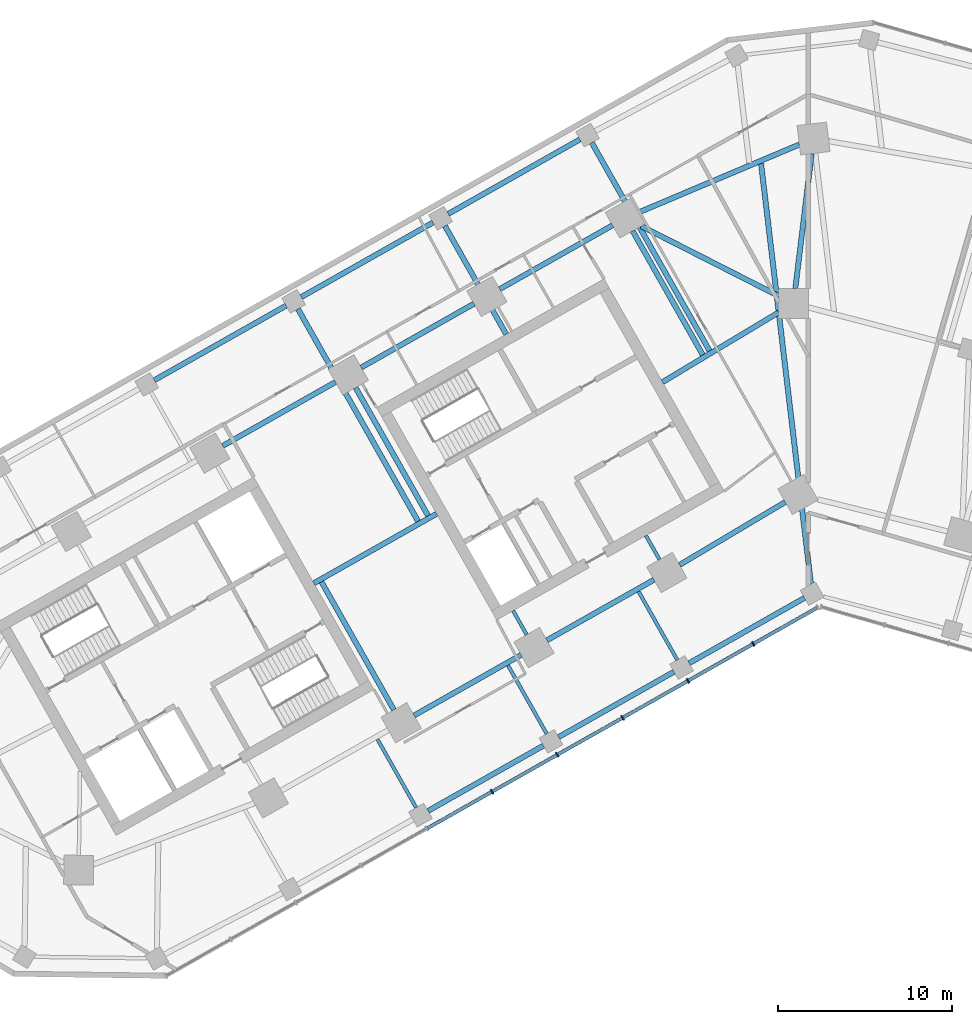
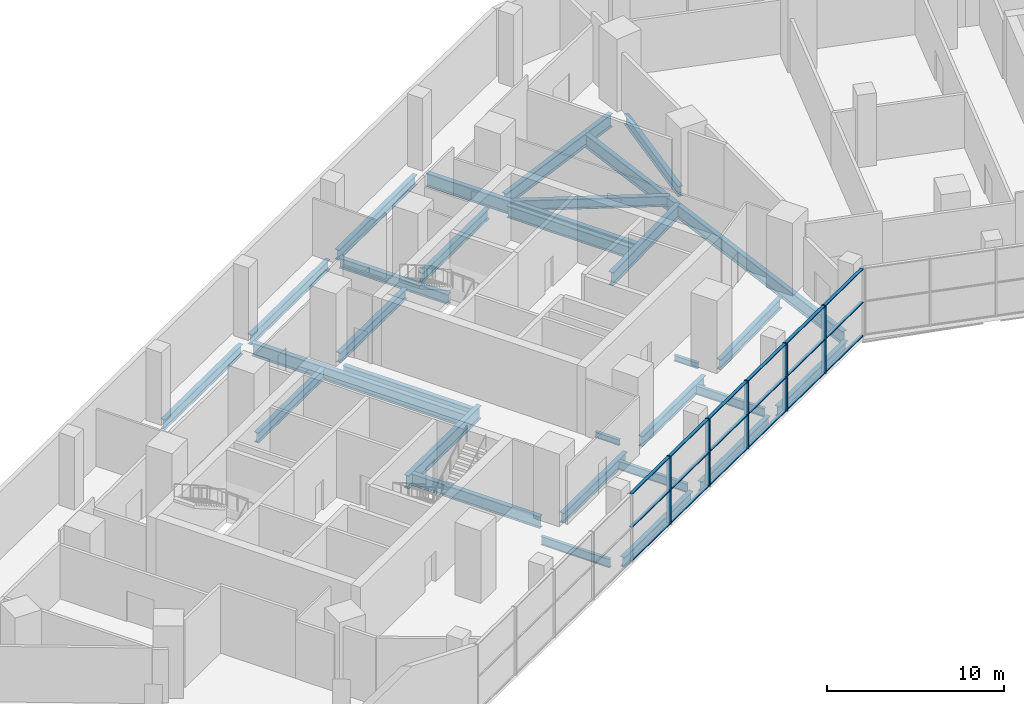
# One storey, part 3 of 18: 29 beams, 23 members, 1 element without a shape of its own.
"""IFC4 building model written with IfcOpenShell, lengths in metres."""

from ifc_helpers import new_model, si_unit, direction, frame, origin, origin_2d, place, context, subcontext, project, spatial, rectangle, i_section, extrude, material, material_profile, profile_set, type_object, element, aggregate, save


model = new_model("IFC4")

# Units and contexts
model_context = context("Model", 3, precision=1e-05, world=origin(), true_north=direction((0.0, 1.0)))
body_context = subcontext(model_context, "Body", "Model", "MODEL_VIEW")
ifc_project = project(units=[si_unit("LENGTHUNIT", "METRE"), si_unit("AREAUNIT", "SQUARE_METRE"), si_unit("VOLUMEUNIT", "CUBIC_METRE"), si_unit("PLANEANGLEUNIT", "RADIAN"), si_unit("MASSUNIT", "GRAM", prefix="KILO")], contexts=[model_context])

# Site, building, storey
site_placement = place(None, origin())
site = spatial("IfcSite", under=ifc_project, at=site_placement, CompositionType="ELEMENT")
building_placement = place(site_placement, origin())
building = spatial("IfcBuilding", under=site, at=building_placement, Name="Binnacle Exchange Tower", CompositionType="ELEMENT")
storey_placement = place(building_placement, frame((0.0, 0.0, 6.5)))
storey = spatial("IfcBuildingStorey", under=building, at=storey_placement, Name="L01", CompositionType="ELEMENT", Elevation=6.5)

# Curtain wall, members
ifc_material_1 = material(Name="Bronze anodised aluminium frame", Category="aluminium")
curtain_wall_type = type_object("IfcCurtainWallType", Name="External wall - curtain wall waterfront lobby", PredefinedType="NOTDEFINED", material=ifc_material_1)
curtain_wall_placement = place(storey_placement, origin())
curtain_wall = element("IfcCurtainWall", 1, at=curtain_wall_placement, inside=storey, type_object=curtain_wall_type, Name="External wall curtain wall CW1-P06 L01", PredefinedType="NOTDEFINED")
ifc_material_profile_1 = material_profile(ifc_material_1, rectangle(XDim=0.300048828125, YDim=0.080078125, at=origin_2d()), Name="AL 80x300")
ifc_profile_set_1 = profile_set([ifc_material_profile_1], Name="Bronze anodised aluminium frame")
member_type_1 = type_object("IfcMemberType", Name="CW1 MULLION 80x300", PredefinedType="MULLION", material=ifc_profile_set_1)
member_1_placement = place(storey_placement, frame((-18.146484375, 31.988525390625, 0.0), z_axis=(0.0, 0.0, 1.0), x_axis=(-0.492423763004, 0.870355581144, 0.0)))
member_1 = element("IfcMember", 2, at=member_1_placement, type_object=member_type_1, Name="CW1-P06 mullion 6", PredefinedType="MULLION", context=body_context, shape_type="SweptSolid", body=[
    extrude(rectangle(XDim=0.300048828125, YDim=0.080078125, at=origin_2d()), origin(), (0.0, 0.0, 1.0), 4.64990234375),
])
member_2_placement = place(storey_placement, frame((-14.39892578125, 34.108642578125, 0.0), z_axis=(0.0, 0.0, 1.0), x_axis=(-0.492423763004, 0.870355581144, 0.0)))
member_2 = element("IfcMember", 3, at=member_2_placement, type_object=member_type_1, Name="CW1-P06 mullion 7", PredefinedType="MULLION", context=body_context, shape_type="SweptSolid", body=[
    extrude(rectangle(XDim=0.300048828125, YDim=0.080078125, at=origin_2d()), origin(), (0.0, 0.0, 1.0), 4.64990234375),
])
member_3_placement = place(storey_placement, frame((-10.651123046875, 36.22900390625, 0.0), z_axis=(0.0, 0.0, 1.0), x_axis=(-0.492423763004, 0.870355581144, 0.0)))
member_3 = element("IfcMember", 4, at=member_3_placement, type_object=member_type_1, Name="CW1-P06 mullion 8", PredefinedType="MULLION", context=body_context, shape_type="SweptSolid", body=[
    extrude(rectangle(XDim=0.300048828125, YDim=0.080078125, at=origin_2d()), origin(), (0.0, 0.0, 1.0), 4.64990234375),
])
member_4_placement = place(storey_placement, frame((-6.903564453125, 38.349365234375, 0.0), z_axis=(0.0, 0.0, 1.0), x_axis=(-0.492423763004, 0.870355581144, 0.0)))
member_4 = element("IfcMember", 5, at=member_4_placement, type_object=member_type_1, Name="CW1-P06 mullion 9", PredefinedType="MULLION", context=body_context, shape_type="SweptSolid", body=[
    extrude(rectangle(XDim=0.300048828125, YDim=0.080078125, at=origin_2d()), origin(), (0.0, 0.0, 1.0), 4.64990234375),
])
member_5_placement = place(storey_placement, frame((-3.156005859375, 40.4697265625, 0.0), z_axis=(0.0, 0.0, 1.0), x_axis=(-0.492423763004, 0.870355581144, 0.0)))
member_5 = element("IfcMember", 6, at=member_5_placement, type_object=member_type_1, Name="CW1-P06 mullion 10", PredefinedType="MULLION", context=body_context, shape_type="SweptSolid", body=[
    extrude(rectangle(XDim=0.300048828125, YDim=0.080078125, at=origin_2d()), origin(), (0.0, 0.0, 1.0), 4.64990234375),
])
ifc_material_profile_2 = material_profile(ifc_material_1, rectangle(XDim=0.199951171875, YDim=0.06005859375, at=origin_2d()), Name="AL 200x60")
ifc_profile_set_2 = profile_set([ifc_material_profile_2], Name="Bronze anodised aluminium frame")
member_type_2 = type_object("IfcMemberType", Name="CW1 TRANSOM 60x200", PredefinedType="USERDEFINED", material=ifc_profile_set_2)
member_6_placement = place(storey_placement, frame((-21.859130859375, 29.887939453125, 0.030029296875), z_axis=(0.870364780678, 0.492407502537, 0.0), x_axis=(-0.492407502537, 0.870364780678, 0.0)))
member_6 = element("IfcMember", 7, at=member_6_placement, type_object=member_type_2, Name="CW1-P06 transom 5.1", ObjectType="TRANSOM", PredefinedType="USERDEFINED", context=body_context, shape_type="SweptSolid", body=[
    extrude(rectangle(XDim=0.199951171875, YDim=0.06005859375, at=origin_2d()), origin(), (0.0, 0.0, 1.0), 4.225830078125),
])
member_7_placement = place(storey_placement, frame((-21.859130859375, 29.887939453125, 2.324951171875), z_axis=(0.870364780678, 0.492407502537, 0.0), x_axis=(-0.492407502537, 0.870364780678, 0.0)))
member_7 = element("IfcMember", 8, at=member_7_placement, type_object=member_type_2, Name="CW1-P06 transom 5.2", ObjectType="TRANSOM", PredefinedType="USERDEFINED", context=body_context, shape_type="SweptSolid", body=[
    extrude(rectangle(XDim=0.199951171875, YDim=0.06005859375, at=origin_2d()), origin(), (0.0, 0.0, 1.0), 4.225830078125),
])
member_8_placement = place(storey_placement, frame((-21.859130859375, 29.887939453125, 4.6201171875), z_axis=(0.870364780678, 0.492407502537, 0.0), x_axis=(-0.492407502537, 0.870364780678, 0.0)))
member_8 = element("IfcMember", 9, at=member_8_placement, type_object=member_type_2, Name="CW1-P06 transom 5.3", ObjectType="TRANSOM", PredefinedType="USERDEFINED", context=body_context, shape_type="SweptSolid", body=[
    extrude(rectangle(XDim=0.199951171875, YDim=0.06005859375, at=origin_2d()), origin(), (0.0, 0.0, 1.0), 4.225830078125),
])
member_9_placement = place(storey_placement, frame((-18.111572265625, 32.008056640625, 0.030029296875), z_axis=(0.870340019855, 0.492451266461, 0.0), x_axis=(-0.492451266461, 0.870340019855, 0.0)))
member_9 = element("IfcMember", 10, at=member_9_placement, type_object=member_type_2, Name="CW1-P06 transom 6.1", ObjectType="TRANSOM", PredefinedType="USERDEFINED", context=body_context, shape_type="SweptSolid", body=[
    extrude(rectangle(XDim=0.199951171875, YDim=0.06005859375, at=origin_2d()), origin(), (0.0, 0.0, 1.0), 4.225830078125),
])
member_10_placement = place(storey_placement, frame((-18.111572265625, 32.008056640625, 2.324951171875), z_axis=(0.870340019855, 0.492451266461, 0.0), x_axis=(-0.492451266461, 0.870340019855, 0.0)))
member_10 = element("IfcMember", 11, at=member_10_placement, type_object=member_type_2, Name="CW1-P06 transom 6.2", ObjectType="TRANSOM", PredefinedType="USERDEFINED", context=body_context, shape_type="SweptSolid", body=[
    extrude(rectangle(XDim=0.199951171875, YDim=0.06005859375, at=origin_2d()), origin(), (0.0, 0.0, 1.0), 4.225830078125),
])
member_11_placement = place(storey_placement, frame((-18.111572265625, 32.008056640625, 4.6201171875), z_axis=(0.870340019855, 0.492451266461, 0.0), x_axis=(-0.492451266461, 0.870340019855, 0.0)))
member_11 = element("IfcMember", 12, at=member_11_placement, type_object=member_type_2, Name="CW1-P06 transom 6.3", ObjectType="TRANSOM", PredefinedType="USERDEFINED", context=body_context, shape_type="SweptSolid", body=[
    extrude(rectangle(XDim=0.199951171875, YDim=0.06005859375, at=origin_2d()), origin(), (0.0, 0.0, 1.0), 4.225830078125),
])
member_12_placement = place(storey_placement, frame((-14.364013671875, 34.12841796875, 0.030029296875), z_axis=(0.870364780678, 0.492407502537, 0.0), x_axis=(-0.492407502537, 0.870364780678, 0.0)))
member_12 = element("IfcMember", 13, at=member_12_placement, type_object=member_type_2, Name="CW1-P06 transom 7.1", ObjectType="TRANSOM", PredefinedType="USERDEFINED", context=body_context, shape_type="SweptSolid", body=[
    extrude(rectangle(XDim=0.199951171875, YDim=0.06005859375, at=origin_2d()), origin(), (0.0, 0.0, 1.0), 4.225830078125),
])
member_13_placement = place(storey_placement, frame((-14.364013671875, 34.12841796875, 2.324951171875), z_axis=(0.870364780678, 0.492407502537, 0.0), x_axis=(-0.492407502537, 0.870364780678, 0.0)))
member_13 = element("IfcMember", 14, at=member_13_placement, type_object=member_type_2, Name="CW1-P06 transom 7.2", ObjectType="TRANSOM", PredefinedType="USERDEFINED", context=body_context, shape_type="SweptSolid", body=[
    extrude(rectangle(XDim=0.199951171875, YDim=0.06005859375, at=origin_2d()), origin(), (0.0, 0.0, 1.0), 4.225830078125),
])
member_14_placement = place(storey_placement, frame((-14.364013671875, 34.12841796875, 4.6201171875), z_axis=(0.870364780678, 0.492407502537, 0.0), x_axis=(-0.492407502537, 0.870364780678, 0.0)))
member_14 = element("IfcMember", 15, at=member_14_placement, type_object=member_type_2, Name="CW1-P06 transom 7.3", ObjectType="TRANSOM", PredefinedType="USERDEFINED", context=body_context, shape_type="SweptSolid", body=[
    extrude(rectangle(XDim=0.199951171875, YDim=0.06005859375, at=origin_2d()), origin(), (0.0, 0.0, 1.0), 4.225830078125),
])
member_15_placement = place(storey_placement, frame((-10.616455078125, 36.248779296875, 0.030029296875), z_axis=(0.870364780678, 0.492407502537, 0.0), x_axis=(-0.492407502537, 0.870364780678, 0.0)))
member_15 = element("IfcMember", 16, at=member_15_placement, type_object=member_type_2, Name="CW1-P06 transom 8.1", ObjectType="TRANSOM", PredefinedType="USERDEFINED", context=body_context, shape_type="SweptSolid", body=[
    extrude(rectangle(XDim=0.199951171875, YDim=0.06005859375, at=origin_2d()), origin(), (0.0, 0.0, 1.0), 4.225830078125),
])
member_16_placement = place(storey_placement, frame((-10.616455078125, 36.248779296875, 2.324951171875), z_axis=(0.870364780678, 0.492407502537, 0.0), x_axis=(-0.492407502537, 0.870364780678, 0.0)))
member_16 = element("IfcMember", 17, at=member_16_placement, type_object=member_type_2, Name="CW1-P06 transom 8.2", ObjectType="TRANSOM", PredefinedType="USERDEFINED", context=body_context, shape_type="SweptSolid", body=[
    extrude(rectangle(XDim=0.199951171875, YDim=0.06005859375, at=origin_2d()), origin(), (0.0, 0.0, 1.0), 4.225830078125),
])
member_17_placement = place(storey_placement, frame((-10.616455078125, 36.248779296875, 4.6201171875), z_axis=(0.870364780678, 0.492407502537, 0.0), x_axis=(-0.492407502537, 0.870364780678, 0.0)))
member_17 = element("IfcMember", 18, at=member_17_placement, type_object=member_type_2, Name="CW1-P06 transom 8.3", ObjectType="TRANSOM", PredefinedType="USERDEFINED", context=body_context, shape_type="SweptSolid", body=[
    extrude(rectangle(XDim=0.199951171875, YDim=0.06005859375, at=origin_2d()), origin(), (0.0, 0.0, 1.0), 4.225830078125),
])
member_18_placement = place(storey_placement, frame((-6.868896484375, 38.368896484375, 0.030029296875), z_axis=(0.870354029063, 0.492426506288, 0.0), x_axis=(-0.492426506288, 0.870354029063, 0.0)))
member_18 = element("IfcMember", 19, at=member_18_placement, type_object=member_type_2, Name="CW1-P06 transom 9.1", ObjectType="TRANSOM", PredefinedType="USERDEFINED", context=body_context, shape_type="SweptSolid", body=[
    extrude(rectangle(XDim=0.199951171875, YDim=0.06005859375, at=origin_2d()), origin(), (0.0, 0.0, 1.0), 4.22607421875),
])
member_19_placement = place(storey_placement, frame((-6.868896484375, 38.368896484375, 2.324951171875), z_axis=(0.870354029063, 0.492426506288, 0.0), x_axis=(-0.492426506288, 0.870354029063, 0.0)))
member_19 = element("IfcMember", 20, at=member_19_placement, type_object=member_type_2, Name="CW1-P06 transom 9.2", ObjectType="TRANSOM", PredefinedType="USERDEFINED", context=body_context, shape_type="SweptSolid", body=[
    extrude(rectangle(XDim=0.199951171875, YDim=0.06005859375, at=origin_2d()), origin(), (0.0, 0.0, 1.0), 4.22607421875),
])
member_20_placement = place(storey_placement, frame((-6.868896484375, 38.368896484375, 4.6201171875), z_axis=(0.870354029063, 0.492426506288, 0.0), x_axis=(-0.492426506288, 0.870354029063, 0.0)))
member_20 = element("IfcMember", 21, at=member_20_placement, type_object=member_type_2, Name="CW1-P06 transom 9.3", ObjectType="TRANSOM", PredefinedType="USERDEFINED", context=body_context, shape_type="SweptSolid", body=[
    extrude(rectangle(XDim=0.199951171875, YDim=0.06005859375, at=origin_2d()), origin(), (0.0, 0.0, 1.0), 4.22607421875),
])
member_21_placement = place(storey_placement, frame((-3.12109375, 40.4892578125, 0.030029296875), z_axis=(0.870342231801, 0.49244735713, 0.0), x_axis=(-0.49244735713, 0.870342231801, 0.0)))
member_21 = element("IfcMember", 22, at=member_21_placement, type_object=member_type_2, Name="CW1-P06 transom 10.1", ObjectType="TRANSOM", PredefinedType="USERDEFINED", context=body_context, shape_type="SweptSolid", body=[
    extrude(rectangle(XDim=0.199951171875, YDim=0.06005859375, at=origin_2d()), origin(), (0.0, 0.0, 1.0), 4.185791015625),
])
member_22_placement = place(storey_placement, frame((-3.12109375, 40.4892578125, 2.324951171875), z_axis=(0.870342231801, 0.49244735713, 0.0), x_axis=(-0.49244735713, 0.870342231801, 0.0)))
member_22 = element("IfcMember", 23, at=member_22_placement, type_object=member_type_2, Name="CW1-P06 transom 10.2", ObjectType="TRANSOM", PredefinedType="USERDEFINED", context=body_context, shape_type="SweptSolid", body=[
    extrude(rectangle(XDim=0.199951171875, YDim=0.06005859375, at=origin_2d()), origin(), (0.0, 0.0, 1.0), 4.185791015625),
])
member_23_placement = place(storey_placement, frame((-3.12109375, 40.4892578125, 4.6201171875), z_axis=(0.870342231801, 0.49244735713, 0.0), x_axis=(-0.49244735713, 0.870342231801, 0.0)))
member_23 = element("IfcMember", 24, at=member_23_placement, type_object=member_type_2, Name="CW1-P06 transom 10.3", ObjectType="TRANSOM", PredefinedType="USERDEFINED", context=body_context, shape_type="SweptSolid", body=[
    extrude(rectangle(XDim=0.199951171875, YDim=0.06005859375, at=origin_2d()), origin(), (0.0, 0.0, 1.0), 4.185791015625),
])
aggregate(curtain_wall, [member_1, member_2, member_3, member_4, member_5, member_6, member_7, member_8, member_9, member_10, member_11, member_12, member_13, member_14, member_15, member_16, member_17, member_18, member_19, member_20, member_21, member_22, member_23])

# Beams
ifc_material_2 = material(Name="Steel S355 (SHN355)", Category="steel")
ifc_material_profile_3 = material_profile(ifc_material_2, i_section(OverallWidth=0.300048828125, OverallDepth=0.699951171875, WebThickness=0.012939453125, FlangeThickness=0.02392578125, FilletRadius=0.028076171875, at=origin_2d()), Name="H 700x300x13x24")
ifc_profile_set_3 = profile_set([ifc_material_profile_3], Name="Steel S355 (SHN355)")
beam_type_1 = type_object("IfcBeamType", Name="Edge girder H 700x300x13x24 Steel S355 (SHN355)", PredefinedType="SPANDREL", material=ifc_profile_set_3)
for number, where, z_axis, x_axis, name in (
    (25, (-37.517333984375, 55.59912109375, -0.699951171875), (0.870339162406, 0.492452781881, 0.0), (-0.492452781881, 0.870339162406, 0.0), "S:BM:edge:L01:026"),
    (26, (-29.089111328125, 60.367919921875, -0.699951171875), (0.870358029477, 0.492419435567, 0.0), (-0.492419435567, 0.870358029477, 0.0), "S:BM:edge:L01:030"),
):
    element("IfcBeam", number, at=place(storey_placement, frame(where, z_axis=z_axis, x_axis=x_axis)), inside=storey, type_object=beam_type_1, Name=name, PredefinedType="SPANDREL", context=body_context, shape_type="SweptSolid", body=[
        extrude(i_section(OverallWidth=0.300048828125, OverallDepth=0.699951171875, WebThickness=0.012939453125, FlangeThickness=0.02392578125, FilletRadius=0.028076171875, at=origin_2d()), origin(), (0.0, 0.0, 1.0), 8.683837890625),
    ])
beam_1_placement = place(storey_placement, frame((-27.12744140625, 55.49169921875, -0.699951171875), z_axis=(-0.870350394687, -0.492432929919, 0.0), x_axis=(0.492432929919, -0.870350394687, 0.0)))
element("IfcBeam", 27, at=beam_1_placement, inside=storey, type_object=beam_type_1, Name="S:BM:edge:L01:031", PredefinedType="SPANDREL", context=body_context, shape_type="SweptSolid", body=[
    extrude(i_section(OverallWidth=0.300048828125, OverallDepth=0.699951171875, WebThickness=0.012939453125, FlangeThickness=0.02392578125, FilletRadius=0.028076171875, at=origin_2d()), origin(), (0.0, 0.0, 1.0), 7.429931640625),
])
beam_2_placement = place(storey_placement, frame((-22.6162109375, 36.36474609375, -0.699951171875), z_axis=(0.870350053651, 0.492433532681, 0.0), x_axis=(-0.492433532681, 0.870350053651, 0.0)))
element("IfcBeam", 28, at=beam_2_placement, inside=storey, type_object=beam_type_1, Name="S:BM:edge:L01:033", PredefinedType="SPANDREL", context=body_context, shape_type="SweptSolid", body=[
    extrude(i_section(OverallWidth=0.300048828125, OverallDepth=0.699951171875, WebThickness=0.012939453125, FlangeThickness=0.02392578125, FilletRadius=0.028076171875, at=origin_2d()), origin(), (0.0, 0.0, 1.0), 7.054443359375),
])
beam_3_placement = place(storey_placement, frame((-20.66064453125, 65.136474609375, -0.699951171875), z_axis=(0.870358029477, 0.492419435567, 0.0), x_axis=(-0.492419435567, 0.870358029477, 0.0)))
element("IfcBeam", 29, at=beam_3_placement, inside=storey, type_object=beam_type_1, Name="S:BM:edge:L01:034", PredefinedType="SPANDREL", context=body_context, shape_type="SweptSolid", body=[
    extrude(i_section(OverallWidth=0.300048828125, OverallDepth=0.699951171875, WebThickness=0.012939453125, FlangeThickness=0.02392578125, FilletRadius=0.028076171875, at=origin_2d()), origin(), (0.0, 0.0, 1.0), 8.683837890625),
])
beam_4_placement = place(storey_placement, frame((-19.18115234375, 59.9873046875, -0.699951171875), z_axis=(-0.870364477798, -0.492408037898, 0.0), x_axis=(0.492408037898, -0.870364477798, 0.0)))
element("IfcBeam", 30, at=beam_4_placement, inside=storey, type_object=beam_type_1, Name="S:BM:edge:L01:035", PredefinedType="SPANDREL", context=body_context, shape_type="SweptSolid", body=[
    extrude(i_section(OverallWidth=0.300048828125, OverallDepth=0.699951171875, WebThickness=0.012939453125, FlangeThickness=0.02392578125, FilletRadius=0.028076171875, at=origin_2d()), origin(), (0.0, 0.0, 1.0), 7.4296875),
])
beam_5_placement = place(storey_placement, frame((-15.1962890625, 34.63427734375, -0.699951171875), z_axis=(-0.870352907673, -0.492428488316, 0.0), x_axis=(0.492428488316, -0.870352907673, 0.0)))
element("IfcBeam", 31, at=beam_5_placement, inside=storey, type_object=beam_type_1, Name="S:BM:edge:L01:036", PredefinedType="SPANDREL", context=body_context, shape_type="SweptSolid", body=[
    extrude(i_section(OverallWidth=0.300048828125, OverallDepth=0.699951171875, WebThickness=0.012939453125, FlangeThickness=0.02392578125, FilletRadius=0.028076171875, at=origin_2d()), origin(), (0.0, 0.0, 1.0), 7.60546875),
])
beam_6_placement = place(storey_placement, frame((-14.99658203125, 40.67578125, -0.699951171875), z_axis=(0.870364886025, 0.492407316329, 0.0), x_axis=(-0.492407316329, 0.870364886025, 0.0)))
element("IfcBeam", 32, at=beam_6_placement, inside=storey, type_object=beam_type_1, Name="S:BM:edge:L01:037", PredefinedType="SPANDREL", context=body_context, shape_type="SweptSolid", body=[
    extrude(i_section(OverallWidth=0.300048828125, OverallDepth=0.699951171875, WebThickness=0.012939453125, FlangeThickness=0.02392578125, FilletRadius=0.028076171875, at=origin_2d()), origin(), (0.0, 0.0, 1.0), 7.054443359375),
])
beam_7_placement = place(storey_placement, frame((-11.23486328125, 64.483154296875, -0.699951171875), z_axis=(-0.870364477798, -0.492408037898, 0.0), x_axis=(0.492408037898, -0.870364477798, 0.0)))
element("IfcBeam", 33, at=beam_7_placement, inside=storey, type_object=beam_type_1, Name="S:BM:edge:L01:039", PredefinedType="SPANDREL", context=body_context, shape_type="SweptSolid", body=[
    extrude(i_section(OverallWidth=0.300048828125, OverallDepth=0.699951171875, WebThickness=0.012939453125, FlangeThickness=0.02392578125, FilletRadius=0.028076171875, at=origin_2d()), origin(), (0.0, 0.0, 1.0), 7.4296875),
])
beam_8_placement = place(storey_placement, frame((-7.706298828125, 38.871826171875, -0.699951171875), z_axis=(-0.870352907673, -0.492428488316, 0.0), x_axis=(0.492428488316, -0.870352907673, 0.0)))
element("IfcBeam", 34, at=beam_8_placement, inside=storey, type_object=beam_type_1, Name="S:BM:edge:L01:040", PredefinedType="SPANDREL", context=body_context, shape_type="SweptSolid", body=[
    extrude(i_section(OverallWidth=0.300048828125, OverallDepth=0.699951171875, WebThickness=0.012939453125, FlangeThickness=0.02392578125, FilletRadius=0.028076171875, at=origin_2d()), origin(), (0.0, 0.0, 1.0), 7.60546875),
])
beam_9_placement = place(storey_placement, frame((-7.38623046875, 45.002685546875, -0.699951171875), z_axis=(0.859464815262, 0.511194905419, 0.0), x_axis=(-0.511194905419, 0.859464815262, 0.0)))
element("IfcBeam", 35, at=beam_9_placement, inside=storey, type_object=beam_type_1, Name="S:BM:edge:L01:041", PredefinedType="SPANDREL", context=body_context, shape_type="SweptSolid", body=[
    extrude(i_section(OverallWidth=0.300048828125, OverallDepth=0.699951171875, WebThickness=0.012939453125, FlangeThickness=0.02392578125, FilletRadius=0.028076171875, at=origin_2d()), origin(), (0.0, 0.0, 1.0), 7.056396484375),
])
beam_10_placement = place(storey_placement, frame((-0.216552734375, 43.109375, -0.699951171875), z_axis=(-0.870352907673, -0.492428488316, 0.0), x_axis=(0.492428488316, -0.870352907673, 0.0)))
element("IfcBeam", 36, at=beam_10_placement, inside=storey, type_object=beam_type_1, Name="S:BM:edge:L01:044", PredefinedType="SPANDREL", context=body_context, shape_type="SweptSolid", body=[
    extrude(i_section(OverallWidth=0.300048828125, OverallDepth=0.699951171875, WebThickness=0.012939453125, FlangeThickness=0.02392578125, FilletRadius=0.028076171875, at=origin_2d()), origin(), (0.0, 0.0, 1.0), 7.60546875),
])
ifc_material_profile_4 = material_profile(ifc_material_2, i_section(OverallWidth=0.302978515625, OverallDepth=0.91796875, WebThickness=0.01904296875, FlangeThickness=0.037109375, FilletRadius=0.028076171875, at=origin_2d()), Name="H 918x303x19x37")
ifc_profile_set_4 = profile_set([ifc_material_profile_4], Name="Steel S355 (SHN355)")
beam_type_2 = type_object("IfcBeamType", Name="Edge girder H 918x303x19x37 Steel S355 (SHN355)", PredefinedType="SPANDREL", material=ifc_profile_set_4)
beam_11_placement = place(storey_placement, frame((-0.51513671875, 69.11962890625, -0.80908203125), z_axis=(-0.921111373297, -0.389299162578, 0.0), x_axis=(0.389299162578, -0.921111373297, 0.0)))
element("IfcBeam", 37, at=beam_11_placement, inside=storey, type_object=beam_type_2, Name="S:BM:edge:L01:043", PredefinedType="SPANDREL", context=body_context, shape_type="SweptSolid", body=[
    extrude(i_section(OverallWidth=0.302978515625, OverallDepth=0.91796875, WebThickness=0.01904296875, FlangeThickness=0.037109375, FilletRadius=0.028076171875, at=origin_2d()), origin(), (0.0, 0.0, 1.0), 9.978759765625),
])
ifc_material_profile_5 = material_profile(ifc_material_2, i_section(OverallWidth=0.199951171875, OverallDepth=0.39990234375, WebThickness=0.008056640625, FlangeThickness=0.012939453125, FilletRadius=0.01611328125, at=origin_2d()), Name="H 400x200x8x13")
ifc_profile_set_5 = profile_set([ifc_material_profile_5], Name="Steel S355 (SHN355)")
beam_type_3 = type_object("IfcBeamType", Name="Floor beam H 400x200x8x13 Steel S355 (SHN355)", PredefinedType="BEAM", material=ifc_profile_set_5)
beam_12_placement = place(storey_placement, frame((-16.155029296875, 40.9970703125, -0.550048828125), z_axis=(-0.492366981934, 0.870387703901, 0.0), x_axis=(-0.870387703901, -0.492366981934, 0.0)))
element("IfcBeam", 38, at=beam_12_placement, inside=storey, type_object=beam_type_3, Name="S:BM:cross:L01:095", PredefinedType="BEAM", context=body_context, shape_type="SweptSolid", body=[
    extrude(i_section(OverallWidth=0.199951171875, OverallDepth=0.39990234375, WebThickness=0.008056640625, FlangeThickness=0.012939453125, FilletRadius=0.01611328125, at=origin_2d()), origin(), (0.0, 0.0, 1.0), 1.584228515625),
])
beam_13_placement = place(storey_placement, frame((-8.535400390625, 45.307861328125, -0.550048828125), z_axis=(-0.492483715062, 0.870321659158, 0.0), x_axis=(-0.870321659158, -0.492483715062, 0.0)))
element("IfcBeam", 39, at=beam_13_placement, inside=storey, type_object=beam_type_3, Name="S:BM:cross:L01:099", PredefinedType="BEAM", context=body_context, shape_type="SweptSolid", body=[
    extrude(i_section(OverallWidth=0.199951171875, OverallDepth=0.39990234375, WebThickness=0.008056640625, FlangeThickness=0.012939453125, FilletRadius=0.01611328125, at=origin_2d()), origin(), (0.0, 0.0, 1.0), 1.58447265625),
])
ifc_material_profile_6 = material_profile(ifc_material_2, i_section(OverallWidth=0.199951171875, OverallDepth=0.60009765625, WebThickness=0.010986328125, FlangeThickness=0.01708984375, FilletRadius=0.02197265625, at=origin_2d()), Name="H 600x200x11x17")
ifc_profile_set_6 = profile_set([ifc_material_profile_6], Name="Steel S355 (SHN355)")
beam_type_4 = type_object("IfcBeamType", Name="Floor beam H 600x200x11x17 Steel S355 (SHN355)", PredefinedType="BEAM", material=ifc_profile_set_6)
for number, where, z_axis, x_axis, name in (
    (40, (-22.4970703125, 31.078125, -0.64990234375), (-0.492403272389, 0.870367173864, 0.0), (-0.870367173864, -0.492403272389, 0.0), "S:BM:cross:L01:093"),
    (41, (-15.007080078125, 35.315673828125, -0.64990234375), (-0.4924442794, 0.8703439732, 0.0), (-0.8703439732, -0.4924442794, 0.0), "S:BM:cross:L01:096"),
    (42, (-7.517333984375, 39.55322265625, -0.64990234375), (-0.4924442794, 0.8703439732, 0.0), (-0.8703439732, -0.4924442794, 0.0), "S:BM:cross:L01:100"),
):
    element("IfcBeam", number, at=place(storey_placement, frame(where, z_axis=z_axis, x_axis=x_axis)), inside=storey, type_object=beam_type_4, Name=name, PredefinedType="BEAM", context=body_context, shape_type="SweptSolid", body=[
        extrude(i_section(OverallWidth=0.199951171875, OverallDepth=0.60009765625, WebThickness=0.010986328125, FlangeThickness=0.01708984375, FilletRadius=0.02197265625, at=origin_2d()), origin(), (0.0, 0.0, 1.0), 4.510009765625),
    ])
ifc_material_profile_7 = material_profile(ifc_material_2, i_section(OverallWidth=0.300048828125, OverallDepth=0.699951171875, WebThickness=0.012939453125, FlangeThickness=0.02392578125, FilletRadius=0.028076171875, at=origin_2d()), Name="H 700x300x13x24")
ifc_profile_set_7 = profile_set([ifc_material_profile_7], Name="Steel S355 (SHN355)")
beam_type_5 = type_object("IfcBeamType", Name="Floor beam H 700x300x13x24 Steel S355 (SHN355)", PredefinedType="BEAM", material=ifc_profile_set_7)
beam_14_placement = place(storey_placement, frame((-20.849609375, 64.455078125, -0.699951171875), z_axis=(0.492432183245, -0.870350817145, 0.0), x_axis=(0.870350817145, 0.492432183245, 0.0)))
element("IfcBeam", 43, at=beam_14_placement, inside=storey, type_object=beam_type_5, Name="S:BM:cross:L01:094", PredefinedType="BEAM", context=body_context, shape_type="SweptSolid", body=[
    extrude(i_section(OverallWidth=0.300048828125, OverallDepth=0.699951171875, WebThickness=0.012939453125, FlangeThickness=0.02392578125, FilletRadius=0.028076171875, at=origin_2d()), origin(), (0.0, 0.0, 1.0), 7.144287109375),
])
ifc_material_profile_8 = material_profile(ifc_material_2, i_section(OverallWidth=0.302001953125, OverallDepth=0.80810546875, WebThickness=0.01611328125, FlangeThickness=0.030029296875, FilletRadius=0.028076171875, at=origin_2d()), Name="H 808x302x16x30")
ifc_profile_set_8 = profile_set([ifc_material_profile_8], Name="Steel S355 (SHN355)")
beam_type_6 = type_object("IfcBeamType", Name="Floor beam H 808x302x16x30 Steel S355 (SHN355)", PredefinedType="BEAM", material=ifc_profile_set_8)
for number, where, z_axis, x_axis, name in (
    (44, (-25.968994140625, 55.17041015625, -0.75390625), (0.492409177884, -0.870363832851, 0.0), (0.870363832851, 0.492409177884, 0.0), "S:BM:cross:L01:091"),
    (45, (-23.774658203125, 36.68603515625, -0.75390625), (-0.492409177884, 0.870363832851, 0.0), (-0.870363832851, -0.492409177884, 0.0), "S:BM:cross:L01:092"),
):
    element("IfcBeam", number, at=place(storey_placement, frame(where, z_axis=z_axis, x_axis=x_axis)), inside=storey, type_object=beam_type_6, Name=name, PredefinedType="BEAM", context=body_context, shape_type="SweptSolid", body=[
        extrude(i_section(OverallWidth=0.302001953125, OverallDepth=0.80810546875, WebThickness=0.01611328125, FlangeThickness=0.030029296875, FilletRadius=0.028076171875, at=origin_2d()), origin(), (0.0, 0.0, 1.0), 8.43408203125),
    ])
beam_15_placement = place(storey_placement, frame((-10.076416015625, 64.161865234375, -0.75390625), z_axis=(0.492410737926, -0.870362950254, 0.0), x_axis=(0.870362950254, 0.492410737926, 0.0)))
element("IfcBeam", 46, at=beam_15_placement, inside=storey, type_object=beam_type_6, Name="S:BM:cross:L01:098", PredefinedType="BEAM", context=body_context, shape_type="SweptSolid", body=[
    extrude(i_section(OverallWidth=0.302001953125, OverallDepth=0.80810546875, WebThickness=0.01611328125, FlangeThickness=0.030029296875, FilletRadius=0.028076171875, at=origin_2d()), origin(), (0.0, 0.0, 1.0), 8.16943359375),
])
ifc_material_profile_9 = material_profile(ifc_material_2, i_section(OverallWidth=0.302978515625, OverallDepth=0.91796875, WebThickness=0.01904296875, FlangeThickness=0.037109375, FilletRadius=0.028076171875, at=origin_2d()), Name="H 918x303x19x37")
ifc_profile_set_9 = profile_set([ifc_material_profile_9], Name="Steel S355 (SHN355)")
beam_type_7 = type_object("IfcBeamType", Name="Floor beam H 918x303x19x37 Steel S355 (SHN355)", PredefinedType="BEAM", material=ifc_profile_set_9)
beam_16_placement = place(storey_placement, frame((-29.278076171875, 59.686279296875, -0.80908203125), z_axis=(0.492433176399, -0.870350255232, 0.0), x_axis=(0.870350255232, 0.492433176399, 0.0)))
element("IfcBeam", 47, at=beam_16_placement, inside=storey, type_object=beam_type_7, Name="S:BM:cross:L01:090", PredefinedType="BEAM", context=body_context, shape_type="SweptSolid", body=[
    extrude(i_section(OverallWidth=0.302978515625, OverallDepth=0.91796875, WebThickness=0.01904296875, FlangeThickness=0.037109375, FilletRadius=0.028076171875, at=origin_2d()), origin(), (0.0, 0.0, 1.0), 13.993896484375),
])
beam_17_placement = place(storey_placement, frame((-12.421142578125, 69.223388671875, -0.80908203125), z_axis=(0.492429600636, -0.870352278344, 0.0), x_axis=(0.870352278344, 0.492429600636, 0.0)))
element("IfcBeam", 48, at=beam_17_placement, inside=storey, type_object=beam_type_7, Name="S:BM:cross:L01:097", PredefinedType="BEAM", context=body_context, shape_type="SweptSolid", body=[
    extrude(i_section(OverallWidth=0.302978515625, OverallDepth=0.91796875, WebThickness=0.01904296875, FlangeThickness=0.037109375, FilletRadius=0.028076171875, at=origin_2d()), origin(), (0.0, 0.0, 1.0), 13.718017578125),
])
beam_18_placement = place(storey_placement, frame((0.15478515625, 43.893798828125, -0.80908203125), z_axis=(-0.117868429999, 0.993029220723, 0.0), x_axis=(-0.993029220723, -0.117868429999, 0.0)))
element("IfcBeam", 49, at=beam_18_placement, inside=storey, type_object=beam_type_7, Name="S:BM:cross:L01:102", PredefinedType="BEAM", context=body_context, shape_type="SweptSolid", body=[
    extrude(i_section(OverallWidth=0.302978515625, OverallDepth=0.91796875, WebThickness=0.01904296875, FlangeThickness=0.037109375, FilletRadius=0.028076171875, at=origin_2d()), origin(), (0.0, 0.0, 1.0), 24.310791015625),
])
ifc_material_profile_10 = material_profile(ifc_material_2, i_section(OverallWidth=0.300048828125, OverallDepth=0.699951171875, WebThickness=0.012939453125, FlangeThickness=0.02392578125, FilletRadius=0.028076171875, at=origin_2d()), Name="H 700x300x13x24")
ifc_profile_set_10 = profile_set([ifc_material_profile_10], Name="Steel S355 (SHN355)")
beam_type_8 = type_object("IfcBeamType", Name="Spine girder H 700x300x13x24 Steel S355 (SHN355)", PredefinedType="BEAM", material=ifc_profile_set_10)
beam_19_placement = place(storey_placement, frame((-0.74658203125, 60.85009765625, -0.699951171875), z_axis=(0.120621974738, 0.992698513755, 0.0), x_axis=(-0.992698513755, 0.120621974738, 0.0)))
element("IfcBeam", 50, at=beam_19_placement, inside=storey, type_object=beam_type_8, Name="S:BM:spine:L01:005", PredefinedType="BEAM", context=body_context, shape_type="SweptSolid", body=[
    extrude(i_section(OverallWidth=0.300048828125, OverallDepth=0.699951171875, WebThickness=0.012939453125, FlangeThickness=0.02392578125, FilletRadius=0.028076171875, at=origin_2d()), origin(), (0.0, 0.0, 1.0), 7.802490234375),
])
ifc_material_profile_11 = material_profile(ifc_material_2, i_section(OverallWidth=0.302001953125, OverallDepth=0.7080078125, WebThickness=0.014892578125, FlangeThickness=0.028076171875, FilletRadius=0.028076171875, at=origin_2d()), Name="H 708x302x15x28")
ifc_profile_set_11 = profile_set([ifc_material_profile_11], Name="Steel S355 (SHN355)")
beam_type_9 = type_object("IfcBeamType", Name="Spine girder H 708x302x15x28 Steel S355 (SHN355)", PredefinedType="BEAM", material=ifc_profile_set_11)
beam_20_placement = place(storey_placement, frame((-1.699951171875, 60.431884765625, -0.7041015625), z_axis=(-0.891471296315, 0.45307717648, 0.0), x_axis=(-0.45307717648, -0.891471296315, 0.0)))
element("IfcBeam", 51, at=beam_20_placement, inside=storey, type_object=beam_type_9, Name="S:BM:spine:L01:004", PredefinedType="BEAM", context=body_context, shape_type="SweptSolid", body=[
    extrude(i_section(OverallWidth=0.302001953125, OverallDepth=0.7080078125, WebThickness=0.014892578125, FlangeThickness=0.028076171875, FilletRadius=0.028076171875, at=origin_2d()), origin(), (0.0, 0.0, 1.0), 8.845703125),
])
ifc_material_profile_12 = material_profile(ifc_material_2, i_section(OverallWidth=0.302978515625, OverallDepth=0.91796875, WebThickness=0.01904296875, FlangeThickness=0.037109375, FilletRadius=0.028076171875, at=origin_2d()), Name="H 918x303x19x37")
ifc_profile_set_12 = profile_set([ifc_material_profile_12], Name="Steel S355 (SHN355)")
beam_type_10 = type_object("IfcBeamType", Name="Spine girder H 918x303x19x37 Steel S355 (SHN355)", PredefinedType="BEAM", material=ifc_profile_set_12)
beam_21_placement = place(storey_placement, frame((-28.365478515625, 43.951416015625, -0.80908203125), z_axis=(0.870350319004, 0.492433063684, 0.0), x_axis=(-0.492433063684, 0.870350319004, 0.0)))
element("IfcBeam", 52, at=beam_21_placement, inside=storey, type_object=beam_type_10, Name="S:BM:spine:L01:002", PredefinedType="BEAM", context=body_context, shape_type="SweptSolid", body=[
    extrude(i_section(OverallWidth=0.302978515625, OverallDepth=0.91796875, WebThickness=0.01904296875, FlangeThickness=0.037109375, FilletRadius=0.028076171875, at=origin_2d()), origin(), (0.0, 0.0, 1.0), 8.0908203125),
])
beam_22_placement = place(storey_placement, frame((-8.36328125, 55.489990234375, -0.80908203125), z_axis=(0.857393122678, 0.514662057261, 0.0), x_axis=(-0.514662057261, 0.857393122678, 0.0)))
element("IfcBeam", 53, at=beam_22_placement, inside=storey, type_object=beam_type_10, Name="S:BM:spine:L01:003", PredefinedType="BEAM", context=body_context, shape_type="SweptSolid", body=[
    extrude(i_section(OverallWidth=0.302978515625, OverallDepth=0.91796875, WebThickness=0.01904296875, FlangeThickness=0.037109375, FilletRadius=0.028076171875, at=origin_2d()), origin(), (0.0, 0.0, 1.0), 7.771728515625),
])

save(model, "model.ifc")
